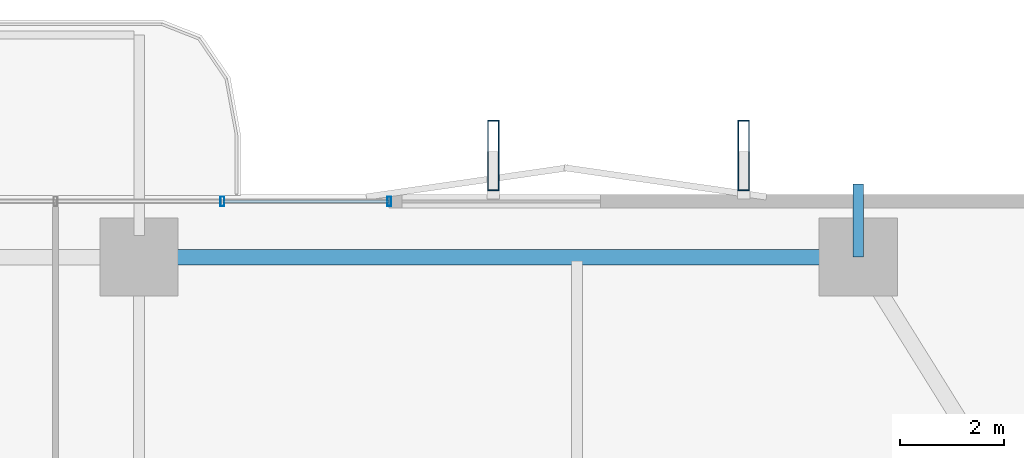
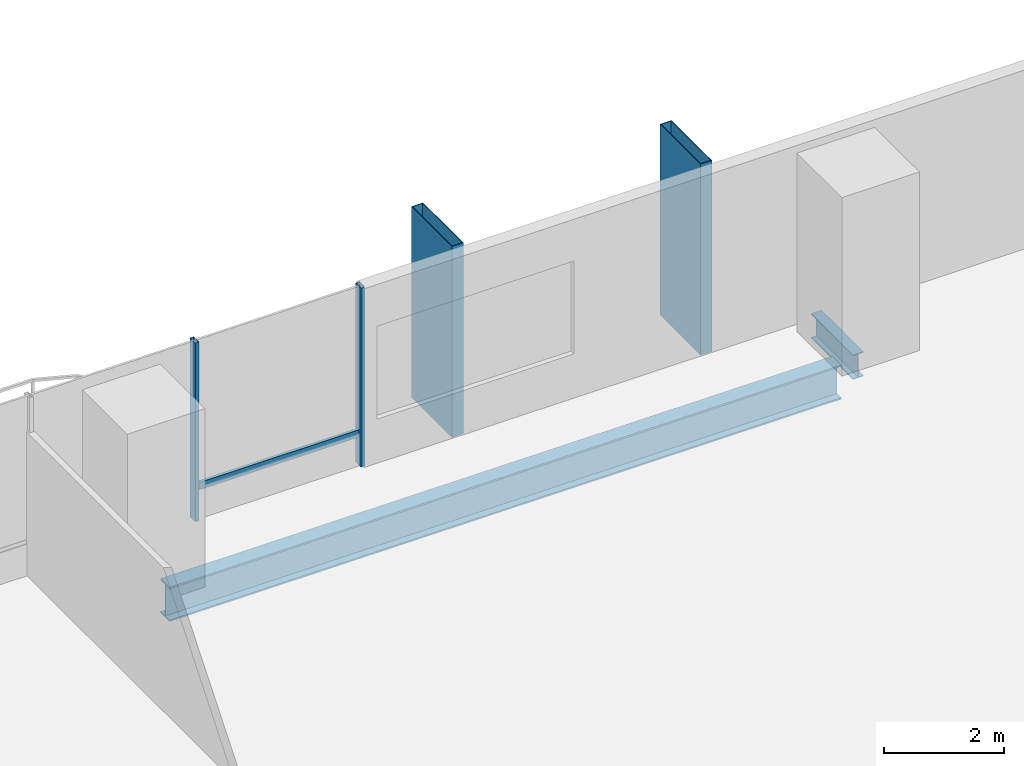
# One storey, part 15 of 23: 5 members, 2 beams, 1 element without a shape of its own.
"""IFC4 building model written with IfcOpenShell, lengths in metres."""

from ifc_helpers import new_model, si_unit, direction, frame, origin, origin_2d, place, context, subcontext, project, spatial, hollow_rectangle, i_section, extrude, material, layer, layer_set, material_profile, profile_set, type_object, element, aggregate, save


model = new_model("IFC4")

# Units and contexts
model_context = context("Model", 3, precision=1e-05, world=origin(), true_north=direction((0.0, 1.0)))
body_context = subcontext(model_context, "Body", "Model", "MODEL_VIEW")
ifc_project = project(units=[si_unit("LENGTHUNIT", "METRE"), si_unit("AREAUNIT", "SQUARE_METRE"), si_unit("VOLUMEUNIT", "CUBIC_METRE"), si_unit("PLANEANGLEUNIT", "RADIAN"), si_unit("MASSUNIT", "GRAM", prefix="KILO")], contexts=[model_context])

# Site, building, storey
site_placement = place(None, origin())
site = spatial("IfcSite", under=ifc_project, at=site_placement, CompositionType="ELEMENT")
building_placement = place(site_placement, origin())
building = spatial("IfcBuilding", under=site, at=building_placement, Name="Belovzor Exchange Tower", CompositionType="ELEMENT")
storey_placement = place(building_placement, frame((0.0, 0.0, 84.60009765625)))
storey = spatial("IfcBuildingStorey", under=building, at=storey_placement, Name="L20", CompositionType="ELEMENT", Elevation=84.60009765625)

# Members
ifc_material_1 = material(Name="Extruded Architectural Terracotta on Steel S355 Carrier", Category="masonry")
ifc_material_profile_1 = material_profile(ifc_material_1, hollow_rectangle(XDim=0.219970703125, YDim=1.35009765625, WallThickness=0.013916015625, at=origin_2d()))
ifc_profile_set_1 = profile_set([ifc_material_profile_1], Name="Extruded Architectural Terracotta on Steel S355 Carrier")
member_type_1 = type_object("IfcMemberType", Name="Base Arc Sweeping Terracotta Pylon Fin 1450", PredefinedType="USERDEFINED", material=ifc_profile_set_1)
for number, where, z_axis, x_axis, name in (
    (1, (35.60009765625, 57.449951171875, -0.25), (0.0, 0.0, 1.0), (1.0, 0.0, 0.0), "FIN-TC145 Terracotta Facade Fin L20 N3"),
    (2, (40.39990234375, 57.449951171875, -0.25), (0.0, 0.0, 1.0), (1.0, 0.0, 0.0), "FIN-TC145 Terracotta Facade Fin L20 N4"),
):
    element("IfcMember", number, at=place(storey_placement, frame(where, z_axis=z_axis, x_axis=x_axis)), inside=storey, type_object=member_type_1, Name=name, ObjectType="FIN", PredefinedType="USERDEFINED", context=body_context, shape_type="SweptSolid", body=[
        extrude(hollow_rectangle(XDim=0.219970703125, YDim=1.35009765625, WallThickness=0.013916015625, at=origin_2d()), origin(), (0.0, 0.0, 1.0), 3.89990234375),
    ])

# Beam
ifc_material_2 = material(Name="Steel S355", Category="steel")
ifc_material_profile_2 = material_profile(ifc_material_2, i_section(OverallWidth=0.199951171875, OverallDepth=0.5, WebThickness=0.01025390625, FlangeThickness=0.01611328125, at=origin_2d()))
ifc_profile_set_2 = profile_set([ifc_material_profile_2], Name="Steel S355")
beam_type_1 = type_object("IfcBeamType", Name="Planted Balcony Cantilever Beam IPE 500", PredefinedType="BEAM", material=ifc_profile_set_2)
beam_1_placement = place(storey_placement, frame((42.60009765625, 55.5, -0.5), z_axis=(0.0, 1.0, 0.0), x_axis=(-1.0, 0.0, 0.0)))
element("IfcBeam", 3, at=beam_1_placement, inside=storey, type_object=beam_type_1, Name="BC-500 Planted Balcony Cantilever Beam IPE 500", PredefinedType="BEAM", context=body_context, shape_type="SweptSolid", body=[
    extrude(i_section(OverallWidth=0.199951171875, OverallDepth=0.5, WebThickness=0.01025390625, FlangeThickness=0.01611328125, at=origin_2d()), origin(), (0.0, 0.0, 1.0), 1.39990234375),
])

# Curtain wall, members
ifc_material_3 = material(Name="Anodised Aluminium Framing", Category="aluminium")
ifc_layer = layer(ifc_material_3, 0.179931640625)
ifc_layer_set = layer_set([ifc_layer], Name="Anodised Aluminium Framing")
curtain_wall_type = type_object("IfcCurtainWallType", Name="Recessed Loggia Low-Iron Triple-Glazed Curtain Wall", PredefinedType="NOTDEFINED", material=ifc_layer_set)
curtain_wall_placement = place(storey_placement, origin())
curtain_wall = element("IfcCurtainWall", 4, at=curtain_wall_placement, inside=storey, type_object=curtain_wall_type, Name="CW3 Recessed Loggia Low-Iron Triple-Glazed Curtain Wall L20", PredefinedType="NOTDEFINED")
ifc_material_4 = material(Name="Steel S355", Category="steel")
ifc_material_profile_3 = material_profile(ifc_material_4, hollow_rectangle(XDim=0.074951171875, YDim=0.179931640625, WallThickness=0.0048828125, at=origin_2d()))
ifc_profile_set_3 = profile_set([ifc_material_profile_3], Name="Steel S355")
member_type_2 = type_object("IfcMemberType", Name="Thermally Broken Curtain Wall Mullion 180x75", PredefinedType="MULLION", material=ifc_profile_set_3)
member_1_placement = place(storey_placement, frame((30.39990234375, 56.570068359375, 0.0), z_axis=(0.0, 0.0, 1.0), x_axis=(1.0, 0.0, 0.0)))
member_1 = element("IfcMember", 5, at=member_1_placement, type_object=member_type_2, Name="CW-M180 Curtain Wall Mullion 3", PredefinedType="MULLION", context=body_context, shape_type="SweptSolid", body=[
    extrude(hollow_rectangle(XDim=0.074951171875, YDim=0.179931640625, WallThickness=0.0048828125, at=origin_2d()), origin(), (0.0, 0.0, 1.0), 3.64990234375),
])
member_2_placement = place(storey_placement, frame((33.60009765625, 56.570068359375, 0.0), z_axis=(0.0, 0.0, 1.0), x_axis=(1.0, 0.0, 0.0)))
member_2 = element("IfcMember", 6, at=member_2_placement, type_object=member_type_2, Name="CW-M180 Curtain Wall Mullion 4", PredefinedType="MULLION", context=body_context, shape_type="SweptSolid", body=[
    extrude(hollow_rectangle(XDim=0.074951171875, YDim=0.179931640625, WallThickness=0.0048828125, at=origin_2d()), origin(), (0.0, 0.0, 1.0), 3.64990234375),
])
ifc_material_5 = material(Name="Steel S355", Category="steel")
ifc_material_profile_4 = material_profile(ifc_material_5, hollow_rectangle(XDim=0.06005859375, YDim=0.14990234375, WallThickness=0.00390625, at=origin_2d()))
ifc_profile_set_4 = profile_set([ifc_material_profile_4], Name="Steel S355")
member_type_3 = type_object("IfcMemberType", Name="Thermally Broken Curtain Wall Transom 150x60", PredefinedType="USERDEFINED", material=ifc_profile_set_4)
member_3_placement = place(storey_placement, frame((30.407958984375, 56.570068359375, 0.64990234375), z_axis=(1.0, 0.0, 0.0), x_axis=(0.0, 1.0, 0.0)))
member_3 = element("IfcMember", 7, at=member_3_placement, type_object=member_type_3, Name="CW-T150 Curtain Wall Transom 3", ObjectType="TRANSOM", PredefinedType="USERDEFINED", context=body_context, shape_type="SweptSolid", body=[
    extrude(hollow_rectangle(XDim=0.06005859375, YDim=0.14990234375, WallThickness=0.00390625, at=origin_2d()), origin(), (0.0, 0.0, 1.0), 3.18408203125),
])
aggregate(curtain_wall, [member_1, member_2, member_3])

# Beam
ifc_material_6 = material(Name="Steel S355", Category="steel")
ifc_material_profile_5 = material_profile(ifc_material_6, i_section(OverallWidth=0.300048828125, OverallDepth=0.699951171875, WebThickness=0.01708984375, FlangeThickness=0.031982421875, at=origin_2d()))
ifc_profile_set_5 = profile_set([ifc_material_profile_5], Name="Steel S355")
beam_type_2 = type_object("IfcBeamType", Name="Zone 1 Primary Perimeter Girder HEB 700", PredefinedType="BEAM", material=ifc_profile_set_5)
beam_2_placement = place(storey_placement, frame((42.18798828125, 55.5, -0.60009765625), z_axis=(-1.0, 0.0, 0.0), x_axis=(0.0, -1.0, 0.0)))
element("IfcBeam", 8, at=beam_2_placement, inside=storey, type_object=beam_type_2, Name="FG-Z1 Zone 1 Primary Perimeter Girder HEB 700", PredefinedType="BEAM", context=body_context, shape_type="SweptSolid", body=[
    extrude(i_section(OverallWidth=0.300048828125, OverallDepth=0.699951171875, WebThickness=0.01708984375, FlangeThickness=0.031982421875, at=origin_2d()), origin(), (0.0, 0.0, 1.0), 12.97509765625),
])

save(model, "model.ifc")
